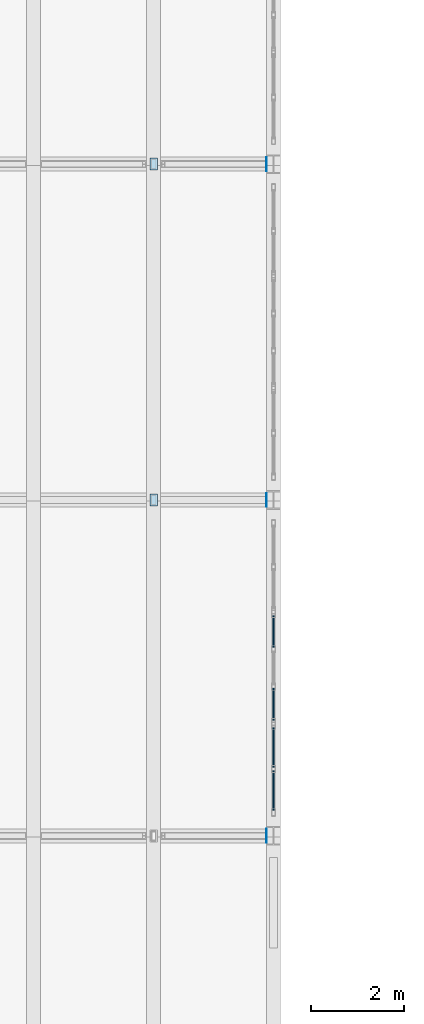
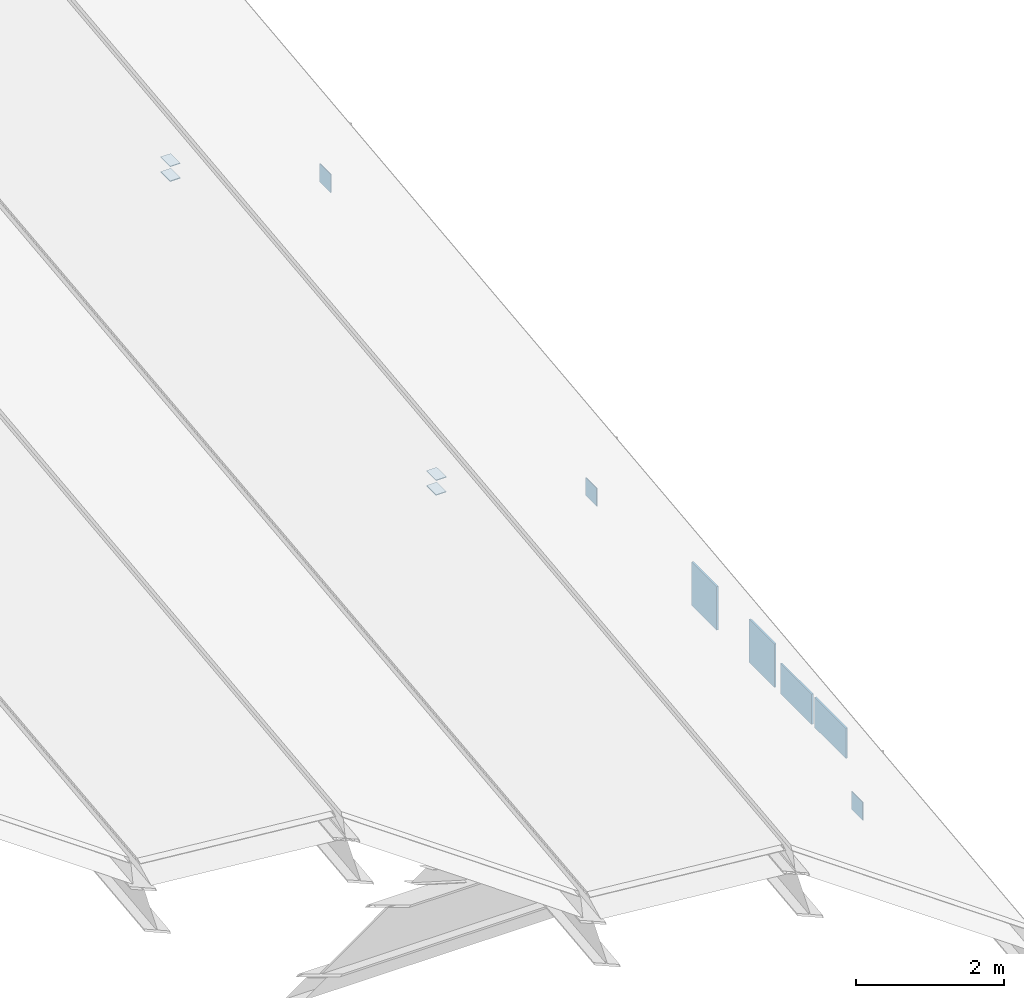
# One storey, part 37 of 48: 11 plates, 2 elements without a shape of their own.
"""IFC4 building model written with IfcOpenShell, lengths in metres."""

from ifc_helpers import new_model, si_unit, direction, frame, origin, origin_2d, place, context, subcontext, project, spatial, rectangle, extrude, material, layer, layer_set, type_object, element, aggregate, save


model = new_model("IFC4")

# Units and contexts
model_context = context("Model", 3, precision=1e-05, world=origin(), true_north=direction((0.0, 1.0)))
body_context = subcontext(model_context, "Body", "Model", "MODEL_VIEW")
ifc_project = project(units=[si_unit("LENGTHUNIT", "METRE"), si_unit("AREAUNIT", "SQUARE_METRE"), si_unit("VOLUMEUNIT", "CUBIC_METRE"), si_unit("PLANEANGLEUNIT", "RADIAN"), si_unit("MASSUNIT", "GRAM", prefix="KILO"), si_unit("THERMODYNAMICTEMPERATUREUNIT", "KELVIN"), si_unit("POWERUNIT", "WATT")], contexts=[model_context])

# Site, building, storey
site_placement = place(None, origin())
site = spatial("IfcSite", under=ifc_project, at=site_placement, CompositionType="ELEMENT")
building_placement = place(site_placement, origin())
building = spatial("IfcBuilding", under=site, at=building_placement, Name="Kaldorven Railside Theatre", CompositionType="ELEMENT")
storey_placement = place(building_placement, frame((0.0, 0.0, 18.89990234375)))
storey = spatial("IfcBuildingStorey", under=building, at=storey_placement, Name="L04", CompositionType="ELEMENT", Elevation=18.89990234375)

# Curtain wall, plates
ifc_material_1 = material(Name="Low-E laminated solar-control glass", Category="glass")
ifc_layer_1 = layer(ifc_material_1, 0.159912109375, Name="Low-E laminated solar-control glass")
ifc_layer_set_1 = layer_set([ifc_layer_1], Name="Low-E laminated solar-control glass")
curtain_wall_type_1 = type_object("IfcCurtainWallType", Name="CWT-26", PredefinedType="USERDEFINED", material=ifc_layer_set_1)
curtain_wall_1_placement = place(storey_placement, origin())
curtain_wall_1 = element("IfcCurtainWall", 1, at=curtain_wall_1_placement, inside=storey, type_object=curtain_wall_type_1, Name="Main Theatre East Eave Clerestory CWG-018", ObjectType="FLUTED GLAZING", PredefinedType="USERDEFINED")
ifc_layer_2 = layer(ifc_material_1, 0.028076171875, Name="Low-E laminated solar-control glass")
ifc_layer_set_2 = layer_set([ifc_layer_2], Name="Low-E laminated solar-control glass")
plate_type_1 = type_object("IfcPlateType", Name="CWP-GLZ28", PredefinedType="CURTAIN_PANEL", material=ifc_layer_set_2)
plate_1_placement = place(storey_placement, frame((123.199951171875, 48.96875, 0.080078125), z_axis=(0.0, 0.0, 1.0), x_axis=(0.0, 1.0, 0.0)))
plate_1 = element("IfcPlate", 2, at=plate_1_placement, type_object=plate_type_1, Name="CWG-018 panel 1.1", PredefinedType="CURTAIN_PANEL", context=body_context, shape_type="SweptSolid", body=[
    extrude(rectangle(XDim=0.847412109375, YDim=0.028076171875, at=origin_2d()), origin(), (0.0, 0.0, 1.0), 0.5),
])
plate_2_placement = place(storey_placement, frame((123.199951171875, 49.896240234375, 0.080078125), z_axis=(0.0, 0.0, 1.0), x_axis=(0.0, 1.0, 0.0)))
plate_2 = element("IfcPlate", 3, at=plate_2_placement, type_object=plate_type_1, Name="CWG-018 panel 2.1", PredefinedType="CURTAIN_PANEL", context=body_context, shape_type="SweptSolid", body=[
    extrude(rectangle(XDim=0.847412109375, YDim=0.028076171875, at=origin_2d()), origin(), (0.0, 0.0, 1.0), 0.5),
])
aggregate(curtain_wall_1, [plate_1, plate_2])

ifc_layer_3 = layer(ifc_material_1, 0.159912109375, Name="Low-E laminated solar-control glass")
ifc_layer_set_3 = layer_set([ifc_layer_3], Name="Low-E laminated solar-control glass")
curtain_wall_type_2 = type_object("IfcCurtainWallType", Name="CWT-27", PredefinedType="USERDEFINED", material=ifc_layer_set_3)
curtain_wall_2_placement = place(storey_placement, origin())
curtain_wall_2 = element("IfcCurtainWall", 4, at=curtain_wall_2_placement, inside=storey, type_object=curtain_wall_type_2, Name="Main Theatre East Eave Clerestory CWG-019", ObjectType="FLUTED GLAZING", PredefinedType="USERDEFINED")
plate_3_placement = place(storey_placement, frame((123.199951171875, 50.820068359375, 0.080078125), z_axis=(0.0, 0.0, 1.0), x_axis=(0.0, 1.0, 0.0)))
plate_3 = element("IfcPlate", 5, at=plate_3_placement, type_object=plate_type_1, Name="CWG-019 panel 1.1", PredefinedType="CURTAIN_PANEL", context=body_context, shape_type="SweptSolid", body=[
    extrude(rectangle(XDim=0.679931640625, YDim=0.028076171875, at=origin_2d()), origin(), (0.0, 0.0, 1.0), 0.719970703125),
])
plate_4_placement = place(storey_placement, frame((123.199951171875, 52.3798828125, 0.080078125), z_axis=(0.0, 0.0, 1.0), x_axis=(0.0, 1.0, 0.0)))
plate_4 = element("IfcPlate", 6, at=plate_4_placement, type_object=plate_type_1, Name="CWG-019 panel 3.1", PredefinedType="CURTAIN_PANEL", context=body_context, shape_type="SweptSolid", body=[
    extrude(rectangle(XDim=0.679931640625, YDim=0.028076171875, at=origin_2d()), origin(), (0.0, 0.0, 1.0), 0.719970703125),
])
aggregate(curtain_wall_2, [plate_3, plate_4])

# Plates
ifc_material_2 = material(Name="Steel S355", Category="steel")
ifc_layer_4 = layer(ifc_material_2, 0.011962890625, Name="Steel S355")
ifc_layer_set_4 = layer_set([ifc_layer_4], Name="Steel S355")
plate_type_2 = type_object("IfcPlateType", Name="PLT-CAP-12", PredefinedType="USERDEFINED", material=ifc_layer_set_4)
for number, where, z_axis, x_axis, name in (
    (7, (123.0478515625, 48.0, -0.3212890625), (1.0, 0.0, 0.0), (0.0, 1.0, 0.0), "End cap gusset plate PL-0162"),
    (8, (123.0478515625, 55.199951171875, 0.498779296875), (1.0, 0.0, 0.0), (0.0, 1.0, 0.0), "End cap gusset plate PL-0164"),
    (9, (123.0478515625, 62.39990234375, 1.31884765625), (1.0, 0.0, 0.0), (0.0, 1.0, 0.0), "End cap gusset plate PL-0166"),
):
    element("IfcPlate", number, at=place(storey_placement, frame(where, z_axis=z_axis, x_axis=x_axis)), inside=storey, type_object=plate_type_2, Name=name, ObjectType="CAP PLATE", PredefinedType="USERDEFINED", context=body_context, shape_type="SweptSolid", body=[
        extrude(rectangle(XDim=0.300048828125, YDim=0.300048828125, at=origin_2d()), origin(), (0.0, 0.0, 1.0), 0.011962890625),
    ])
for number, where, z_axis, x_axis, name in (
    (10, (120.62841796875, 55.199951171875, 1.39404296875), (0.0, 0.0, 1.0), (1.0, 0.0, 0.0), "End cap gusset plate PL-0233"),
    (11, (120.62841796875, 55.199951171875, 1.63720703125), (0.0, 0.0, 1.0), (1.0, 0.0, 0.0), "End cap gusset plate PL-0234"),
    (12, (120.62841796875, 62.39990234375, 2.2138671875), (0.0, 0.0, 1.0), (1.0, 0.0, 0.0), "End cap gusset plate PL-0235"),
    (13, (120.62841796875, 62.39990234375, 2.45751953125), (0.0, 0.0, 1.0), (1.0, 0.0, 0.0), "End cap gusset plate PL-0236"),
):
    element("IfcPlate", number, at=place(storey_placement, frame(where, z_axis=z_axis, x_axis=x_axis)), inside=storey, type_object=plate_type_2, Name=name, ObjectType="CAP PLATE", PredefinedType="USERDEFINED", context=body_context, shape_type="SweptSolid", body=[
        extrude(rectangle(XDim=0.159912109375, YDim=0.260009765625, at=origin_2d()), origin(), (0.0, 0.0, 1.0), 0.011962890625),
    ])

save(model, "model.ifc")
